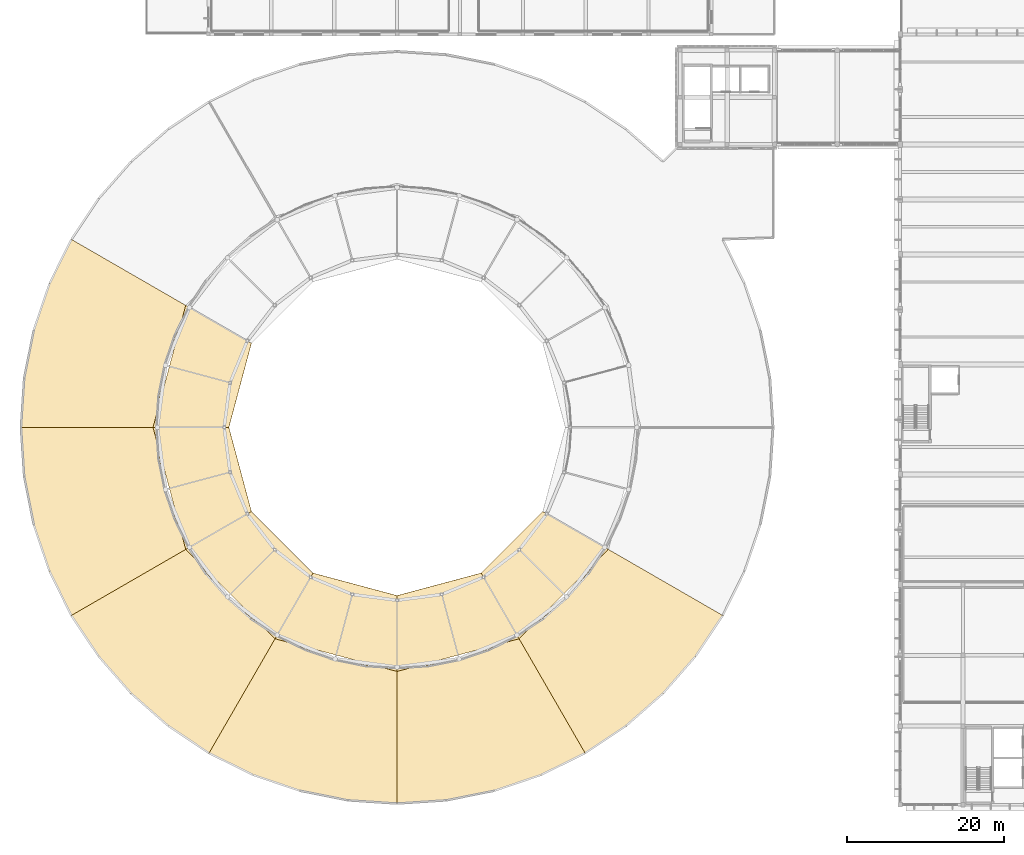
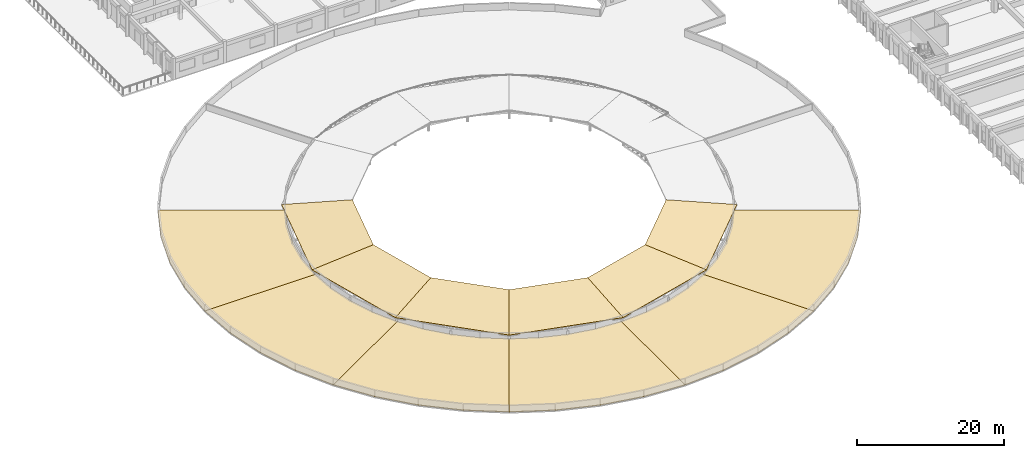
# One storey, part 63 of 77: 12 coverings.
"""IFC4 building model written with IfcOpenShell, lengths in metres."""

import ifcopenshell
import ifcopenshell.guid

model = None  # the IFC model being written
_history = None  # IfcOwnerHistory: only IFC2X3 demands one
_inside = {}  # id of a spatial element -> (the spatial element, [elements in it])
_under = {}  # id of a project, library or spatial element -> (it, [spatial elements below it])
_declared = {}  # id of a project -> (the project, [libraries it declares])
_typed = {}  # id of a type object -> (the type object, [elements of that type])
_made_of = {}  # id of a material, layer set ... -> (it, [elements and type objects made of it])


def new_model(schema):
    """Start an empty IFC model of exactly this schema.

    Asked for "IFC4X3", IfcOpenShell would pick the latest addendum, in which some entities
    have other attributes; the version numbers below select the first issue.
    IFC2X3 requires an IfcOwnerHistory on every rooted entity: one is made here for all.
    """
    global model, _history
    if schema == "IFC4X3":
        model = ifcopenshell.file(schema_version=(4, 3, 0, 0))
    else:
        model = ifcopenshell.file(schema=schema)
    _inside.clear()
    _under.clear()
    _declared.clear()
    _typed.clear()
    _made_of.clear()
    _history = None
    if model.schema == "IFC2X3":
        org = make("IfcOrganization", Name="unknown")
        user = make(
            "IfcPersonAndOrganization",
            ThePerson=make("IfcPerson", FamilyName="unknown"),
            TheOrganization=org,
        )
        app = make(
            "IfcApplication",
            ApplicationDeveloper=org,
            Version="unknown",
            ApplicationFullName="unknown",
            ApplicationIdentifier="unknown",
        )
        _history = make(
            "IfcOwnerHistory",
            OwningUser=user,
            OwningApplication=app,
            ChangeAction="ADDED",
            CreationDate=0,
        )
    return model


def make(cls, **values):
    """One entity of the class cls with the attributes given. An attribute that is None is left unset."""
    return model.create_entity(
        cls, **{name: value for name, value in values.items() if value is not None}
    )


def rooted(cls, **values):
    """An entity with a GlobalId (a new one), such as an element, a storey or a relation."""
    return make(cls, GlobalId=ifcopenshell.guid.new(), OwnerHistory=_history, **values)


def si_unit(unit_type, name, prefix=None):
    """IfcSIUnit, for example si_unit("LENGTHUNIT", "METRE", prefix="MILLI")."""
    return make("IfcSIUnit", UnitType=unit_type, Prefix=prefix, Name=name)


def assignment(units):
    """IfcUnitAssignment: the units of a project."""
    return None if units is None else make("IfcUnitAssignment", Units=units)


def point(xyz):
    """IfcCartesianPoint."""
    return None if xyz is None else make("IfcCartesianPoint", Coordinates=xyz)


def direction(xyz):
    """IfcDirection."""
    return None if xyz is None else make("IfcDirection", DirectionRatios=xyz)


def frame(location, z_axis=None, x_axis=None):
    """IfcAxis2Placement3D, a coordinate frame: its origin and axes. An axis left out is left unset."""
    return make(
        "IfcAxis2Placement3D",
        Location=point(location),
        Axis=direction(z_axis),
        RefDirection=direction(x_axis),
    )


def origin():
    """The frame at (0, 0, 0) with its axes left unset."""
    return frame((0.0, 0.0, 0.0))


def place(relative_to, where):
    """IfcLocalPlacement: puts the frame where relative to a parent placement (None: the world)."""
    return make(
        "IfcLocalPlacement", PlacementRelTo=relative_to, RelativePlacement=where
    )


def context(
    kind, dimensions, precision=None, world=None, true_north=None, identifier=None
):
    """IfcGeometricRepresentationContext, for example the 3D "Model" context."""
    return make(
        "IfcGeometricRepresentationContext",
        ContextIdentifier=identifier,
        ContextType=kind,
        CoordinateSpaceDimension=dimensions,
        Precision=precision,
        WorldCoordinateSystem=world,
        TrueNorth=true_north,
    )


def subcontext(parent, identifier, kind, view, scale=None):
    """IfcGeometricRepresentationSubContext, for example "Body" below "Model"."""
    return make(
        "IfcGeometricRepresentationSubContext",
        ContextIdentifier=identifier,
        ContextType=kind,
        ParentContext=parent,
        TargetScale=scale,
        TargetView=view,
    )


def project(units=None, contexts=None):
    """IfcProject with its units and contexts."""
    return rooted(
        "IfcProject",
        Name="project",
        RepresentationContexts=contexts,
        UnitsInContext=assignment(units),
    )


def spatial(cls, under=None, at=None, **own):
    """A site, building, storey or space (cls), placed at a placement, below another one or the project."""
    s = rooted(cls, ObjectPlacement=at, **own)
    if under is not None:
        _under.setdefault(under.id(), (under, []))[1].append(s)
    return s


def polyline(points):
    """IfcPolyline through the points."""
    return make("IfcPolyline", Points=[point(p) for p in points])


def outline(outer, holes=None, kind="AREA"):
    """IfcArbitraryClosedProfileDef: a profile drawn as a closed curve; with holes, ...WithVoids."""
    if holes is None:
        return make("IfcArbitraryClosedProfileDef", ProfileType=kind, OuterCurve=outer)
    return make(
        "IfcArbitraryProfileDefWithVoids",
        ProfileType=kind,
        OuterCurve=outer,
        InnerCurves=holes,
    )


def extrude(swept, where, along, depth):
    """IfcExtrudedAreaSolid: the profile swept, set in the frame where, extruded along a direction by depth."""
    return make(
        "IfcExtrudedAreaSolid",
        SweptArea=swept,
        Position=where,
        ExtrudedDirection=direction(along),
        Depth=depth,
    )


def shape(context_of_items, identifier, shape_type, items):
    """IfcShapeRepresentation: the items that make up one representation, for example the "Body"."""
    return make(
        "IfcShapeRepresentation",
        ContextOfItems=context_of_items,
        RepresentationIdentifier=identifier,
        RepresentationType=shape_type,
        Items=items,
    )


def material(Name=None, Category=None):
    """IfcMaterial."""
    return make("IfcMaterial", Name=Name, Category=Category)


def layer(
    of_material, thickness, ventilated=None, Name=None, Category=None, Priority=None
):
    """IfcMaterialLayer: one layer of a wall or slab, of a material (None: an air gap)."""
    return make(
        "IfcMaterialLayer",
        Material=of_material,
        LayerThickness=thickness,
        IsVentilated=ventilated,
        Name=Name,
        Category=Category,
        Priority=Priority,
    )


def layer_set(layers, Name=None):
    """IfcMaterialLayerSet."""
    return make("IfcMaterialLayerSet", MaterialLayers=layers, LayerSetName=Name)


def made_of(thing, what):
    """Note that an element or type object is made of a material, layer set ...; save() writes the relation."""
    if what is not None:
        _made_of.setdefault(what.id(), (what, []))[1].append(thing)
    return thing


def type_object(cls, material=None, **own):
    """A type object (cls), such as IfcWallType, which elements share."""
    return made_of(rooted(cls, **own), material)


def element(
    cls,
    number,
    at=None,
    inside=None,
    cuts=None,
    type_object=None,
    material=None,
    context=None,
    identifier="Body",
    shape_type=None,
    held_by="IfcProductDefinitionShape",
    body=None,
    shapes=None,
    **own,
):
    """One element of the class cls, such as IfcWall. Its Tag is "e" and its number.

    at: its placement. inside: the storey or other place that contains it. cuts: it is an
    opening in that element (IfcRelVoidsElement). A single representation is given by context,
    identifier, shape_type and body (its items); several are given by shapes. held_by: the class
    of the entity that holds the representations. save() writes the other relations.
    """
    e = rooted(cls, Tag="e%d" % number, ObjectPlacement=at, **own)
    if body is not None:
        shapes = [shape(context, identifier, shape_type, body)]
    if shapes is not None:
        e.Representation = make(held_by, Representations=shapes)
    if inside is not None:
        _inside.setdefault(inside.id(), (inside, []))[1].append(e)
    if cuts is not None:
        rooted(
            "IfcRelVoidsElement", RelatingBuildingElement=cuts, RelatedOpeningElement=e
        )
    if type_object is not None:
        _typed.setdefault(type_object.id(), (type_object, []))[1].append(e)
    return made_of(e, material)


def aggregate(whole, parts):
    """IfcRelAggregates: a whole, such as a stair, and the parts it consists of."""
    return rooted("IfcRelAggregates", RelatingObject=whole, RelatedObjects=parts)


def save(model, path):
    """Write the relations noted so far, then the file.

    IfcRelAggregates (storeys below a building ...), IfcRelContainedInSpatialStructure (elements
    in a storey), IfcRelDefinesByType, IfcRelAssociatesMaterial and IfcRelDeclares: one each for
    every whole, place, type object, material and project.
    """
    for whole, parts in _under.values():
        aggregate(whole, parts)
    for where, things in _inside.values():
        rooted(
            "IfcRelContainedInSpatialStructure",
            RelatedElements=things,
            RelatingStructure=where,
        )
    for kind, things in _typed.values():
        rooted("IfcRelDefinesByType", RelatedObjects=things, RelatingType=kind)
    for what, things in _made_of.values():
        rooted("IfcRelAssociatesMaterial", RelatedObjects=things, RelatingMaterial=what)
    for by, libraries in _declared.values():
        rooted("IfcRelDeclares", RelatingContext=by, RelatedDefinitions=libraries)
    model.write(path)


model = new_model("IFC4")

# Units and contexts
model_context = context("Model", 3, precision=1e-05, world=origin(), true_north=direction((0.0, 1.0)))
body_context = subcontext(model_context, "Body", "Model", "MODEL_VIEW")
ifc_project = project(units=[si_unit("LENGTHUNIT", "METRE"), si_unit("AREAUNIT", "SQUARE_METRE"), si_unit("VOLUMEUNIT", "CUBIC_METRE"), si_unit("PLANEANGLEUNIT", "RADIAN"), si_unit("MASSUNIT", "GRAM", prefix="KILO")], contexts=[model_context])

# Site, building, storey
site_placement = place(None, origin())
site = spatial("IfcSite", under=ifc_project, at=site_placement, CompositionType="ELEMENT")
building_placement = place(site_placement, origin())
building = spatial("IfcBuilding", under=site, at=building_placement, Name="Larkveld Mobility Hub", CompositionType="ELEMENT")
storey_placement = place(building_placement, frame((0.0, 0.0, 12.0)))
storey = spatial("IfcBuildingStorey", under=building, at=storey_placement, Name="L03", CompositionType="ELEMENT", Elevation=12.0)

# Coverings
ifc_material_1 = material(Name="Standing-seam zinc-alume roofing", Category="aluminium")
ifc_layer_1 = layer(ifc_material_1, 0.080078125, Name="Standing-seam zinc-alume roofing", Category="aluminium")
ifc_layer_set_1 = layer_set([ifc_layer_1], Name="Standing-seam zinc-alume roofing")
covering_type_1 = type_object("IfcCoveringType", Name="COV-RFG-01", PredefinedType="ROOFING", material=ifc_layer_set_1)
covering_1_placement = place(storey_placement, frame((21.110107421875, 63.52490234375, 1.031982421875), z_axis=(-0.082603101911, 0.022133973973, 0.996336697483), x_axis=(-0.258834716338, -0.965921627057, -8.69483e-07)))
element("IfcCovering", 1, at=covering_1_placement, inside=storey, type_object=covering_type_1, Name="Central Drum Standing-Seam Canopy 3.2", PredefinedType="ROOFING", context=body_context, shape_type="SweptSolid", body=[
    extrude(outline(polyline([(0.0, 0.0), (16.07263179467481, 8.881784197001252e-16), (13.574838171138142, 9.355556226719084), (2.497459454583548, 9.35528018293541), (0.0, 0.0)])), origin(), (0.0, 0.0, -1.0), 0.080078125),
])
covering_2_placement = place(storey_placement, frame((16.949951171875, 48.0, 1.031982421875), z_axis=(-0.082603101911, -0.022133973973, 0.996336697483), x_axis=(0.258834716338, -0.965921627057, 8.69483e-07)))
element("IfcCovering", 2, at=covering_2_placement, inside=storey, type_object=covering_type_1, Name="Central Drum Standing-Seam Canopy 4.1", PredefinedType="ROOFING", context=body_context, shape_type="SweptSolid", body=[
    extrude(outline(polyline([(0.0, 0.0), (16.07263179467481, -8.881784197001252e-16), (13.57517234009126, 9.355280182935408), (2.4977936235366682, 9.355556226719083), (0.0, 0.0)])), origin(), (0.0, 0.0, -1.0), 0.080078125),
])
covering_3_placement = place(storey_placement, frame((21.110107421875, 32.47509765625, 1.031982421875), z_axis=(-0.060470708845, -0.060470708845, 0.99633658306), x_axis=(0.707106781187, -0.707106781187, 0.0)))
element("IfcCovering", 3, at=covering_3_placement, inside=storey, type_object=covering_type_1, Name="Central Drum Standing-Seam Canopy 4.2", PredefinedType="ROOFING", context=body_context, shape_type="SweptSolid", body=[
    extrude(outline(polyline([(0.0, 0.0), (16.072523325690906, 0.0), (13.575034604151409, 9.355272369872104), (2.497488721539498, 9.355272369872104), (0.0, 0.0)])), origin(), (0.0, 0.0, -1.0), 0.080078125),
])
covering_4_placement = place(storey_placement, frame((32.47509765625, 21.110107421875, 1.031982421875), z_axis=(-0.022133973973, -0.082603101911, 0.996336697483), x_axis=(0.965921627057, -0.258834716338, -8.69483e-07)))
element("IfcCovering", 4, at=covering_4_placement, inside=storey, type_object=covering_type_1, Name="Central Drum Standing-Seam Canopy 5.1", PredefinedType="ROOFING", context=body_context, shape_type="SweptSolid", body=[
    extrude(outline(polyline([(0.0, 0.0), (16.07263179467481, 8.881784197001252e-16), (13.574838171138142, 9.355556226719084), (2.497459454583548, 9.35528018293541), (0.0, 0.0)])), origin(), (0.0, 0.0, -1.0), 0.080078125),
])
covering_5_placement = place(storey_placement, frame((48.0, 16.949951171875, 1.031982421875), z_axis=(0.022133973973, -0.082603101911, 0.996336697483), x_axis=(0.965921627057, 0.258834716338, 8.69483e-07)))
element("IfcCovering", 5, at=covering_5_placement, inside=storey, type_object=covering_type_1, Name="Central Drum Standing-Seam Canopy 5.2", PredefinedType="ROOFING", context=body_context, shape_type="SweptSolid", body=[
    extrude(outline(polyline([(0.0, 0.0), (16.07263179467481, -8.881784197001252e-16), (13.57517234009126, 9.355280182935408), (2.4977936235366682, 9.355556226719083), (0.0, 0.0)])), origin(), (0.0, 0.0, -1.0), 0.080078125),
])
covering_6_placement = place(storey_placement, frame((63.52490234375, 21.110107421875, 1.031982421875), z_axis=(0.060470708845, -0.060470708845, 0.99633658306), x_axis=(0.707106781187, 0.707106781187, 0.0)))
element("IfcCovering", 6, at=covering_6_placement, inside=storey, type_object=covering_type_1, Name="Central Drum Standing-Seam Canopy 6.1", PredefinedType="ROOFING", context=body_context, shape_type="SweptSolid", body=[
    extrude(outline(polyline([(0.0, 0.0), (16.072523325690906, 0.0), (13.575034604151409, 9.355272369872104), (2.497488721539498, 9.355272369872104), (0.0, 0.0)])), origin(), (0.0, 0.0, -1.0), 0.080078125),
])
ifc_material_2 = material(Name="Insulated waterproof membrane roofing", Category="concrete")
ifc_layer_2 = layer(ifc_material_2, 0.094970703125, Name="Insulated waterproof membrane roofing", Category="concrete")
ifc_layer_set_2 = layer_set([ifc_layer_2], Name="Insulated waterproof membrane roofing")
covering_type_2 = type_object("IfcCoveringType", Name="COV-RFG-02", PredefinedType="ROOFING", material=ifc_layer_set_2)
covering_7_placement = place(storey_placement, origin())
element("IfcCovering", 7, at=covering_7_placement, inside=storey, type_object=covering_type_2, Name="Drum Waterproof Roof Membrane 2", PredefinedType="ROOFING", context=body_context, shape_type="SweptSolid", body=[
    extrude(outline(polyline([(6.5, 71.9599609375), (3.72802734375, 66.337890625), (1.712890625, 60.403076171875), (0.489990234375, 54.2548828125), (0.080078125, 48.0), (17.5, 48.0), (17.760986328125, 51.98095703125), (18.5390625, 55.89404296875), (19.822021484375, 59.672119140625), (21.5859375, 63.25), (6.5, 71.9599609375)])), origin(), (0.0, 0.0, 1.0), 0.094970703125),
])
covering_8_placement = place(storey_placement, origin())
element("IfcCovering", 8, at=covering_8_placement, inside=storey, type_object=covering_type_2, Name="Drum Waterproof Roof Membrane 3", PredefinedType="ROOFING", context=body_context, shape_type="SweptSolid", body=[
    extrude(outline(polyline([(0.080078125, 48.0), (0.489990234375, 41.7451171875), (1.712890625, 35.596923828125), (3.72802734375, 29.662109375), (6.5, 24.0400390625), (21.5859375, 32.75), (19.822021484375, 36.327880859375), (18.5390625, 40.10595703125), (17.760986328125, 44.01904296875), (17.5, 48.0), (0.080078125, 48.0)])), origin(), (0.0, 0.0, 1.0), 0.094970703125),
])
covering_9_placement = place(storey_placement, origin())
element("IfcCovering", 9, at=covering_9_placement, inside=storey, type_object=covering_type_2, Name="Drum Waterproof Roof Membrane 4", PredefinedType="ROOFING", context=body_context, shape_type="SweptSolid", body=[
    extrude(outline(polyline([(6.5, 24.0400390625), (9.98291015625, 18.827880859375), (14.114990234375, 14.114990234375), (18.827880859375, 9.98291015625), (24.0400390625, 6.5), (32.75, 21.5859375), (29.43310546875, 23.802978515625), (26.43310546875, 26.43310546875), (23.802978515625, 29.43310546875), (21.5859375, 32.75), (6.5, 24.0400390625)])), origin(), (0.0, 0.0, 1.0), 0.094970703125),
])
covering_10_placement = place(storey_placement, origin())
element("IfcCovering", 10, at=covering_10_placement, inside=storey, type_object=covering_type_2, Name="Drum Waterproof Roof Membrane 5", PredefinedType="ROOFING", context=body_context, shape_type="SweptSolid", body=[
    extrude(outline(polyline([(24.0400390625, 6.5), (29.662109375, 3.72802734375), (35.596923828125, 1.712890625), (41.7451171875, 0.489990234375), (48.0, 0.080078125), (48.0, 17.5), (44.01904296875, 17.760986328125), (40.10595703125, 18.5390625), (36.327880859375, 19.822021484375), (32.75, 21.5859375), (24.0400390625, 6.5)])), origin(), (0.0, 0.0, 1.0), 0.094970703125),
])
covering_11_placement = place(storey_placement, origin())
element("IfcCovering", 11, at=covering_11_placement, inside=storey, type_object=covering_type_2, Name="Drum Waterproof Roof Membrane 6", PredefinedType="ROOFING", context=body_context, shape_type="SweptSolid", body=[
    extrude(outline(polyline([(48.0, 0.080078125), (54.2548828125, 0.489990234375), (60.403076171875, 1.712890625), (66.337890625, 3.72802734375), (71.9599609375, 6.5), (63.25, 21.5859375), (59.672119140625, 19.822021484375), (55.89404296875, 18.5390625), (51.98095703125, 17.760986328125), (48.0, 17.5), (48.0, 0.080078125)])), origin(), (0.0, 0.0, 1.0), 0.094970703125),
])
covering_12_placement = place(storey_placement, origin())
element("IfcCovering", 12, at=covering_12_placement, inside=storey, type_object=covering_type_2, Name="Drum Waterproof Roof Membrane 7", PredefinedType="ROOFING", context=body_context, shape_type="SweptSolid", body=[
    extrude(outline(polyline([(71.9599609375, 6.5), (77.172119140625, 9.98291015625), (81.885009765625, 14.114990234375), (86.01708984375, 18.827880859375), (89.5, 24.0400390625), (74.4140625, 32.75), (72.197021484375, 29.43310546875), (69.56689453125, 26.43310546875), (66.56689453125, 23.802978515625), (63.25, 21.5859375), (71.9599609375, 6.5)])), origin(), (0.0, 0.0, 1.0), 0.094970703125),
])

save(model, "model.ifc")
